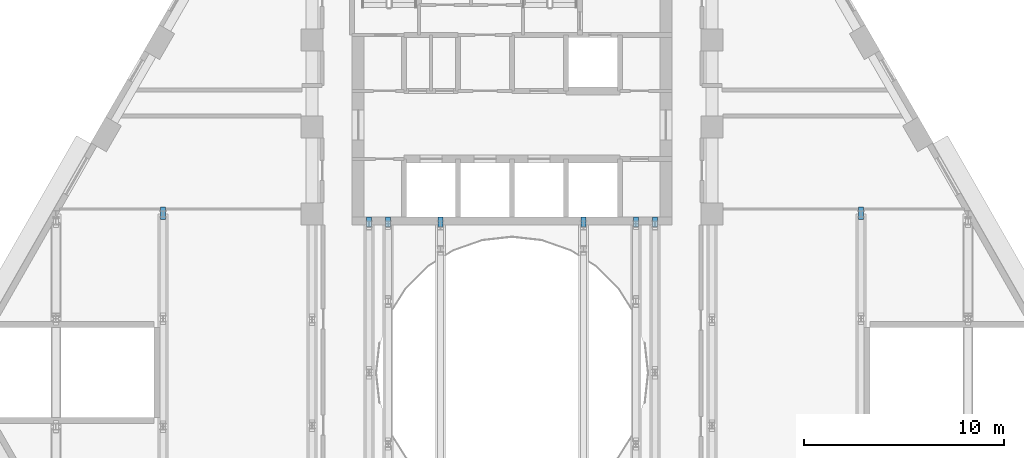
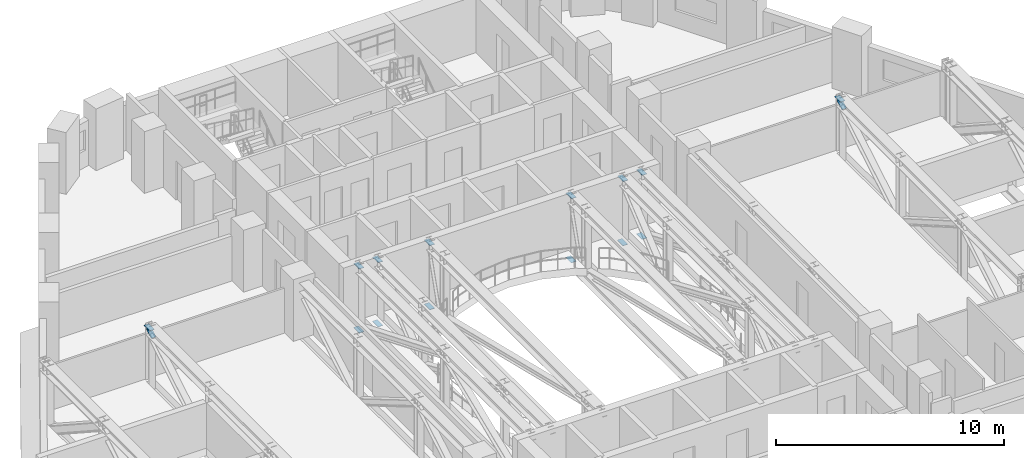
# One storey, part 15 of 18: 16 discrete accessories.
"""IFC4 building model written with IfcOpenShell, lengths in metres."""

from ifc_helpers import new_model, si_unit, direction, frame, origin, origin_2d, place, context, subcontext, project, spatial, rectangle, extrude, material, material_profile, profile_set, type_object, element, save


model = new_model("IFC4")

# Units and contexts
model_context = context("Model", 3, precision=1e-05, world=origin(), true_north=direction((0.0, 1.0)))
body_context = subcontext(model_context, "Body", "Model", "MODEL_VIEW")
ifc_project = project(units=[si_unit("LENGTHUNIT", "METRE"), si_unit("AREAUNIT", "SQUARE_METRE"), si_unit("VOLUMEUNIT", "CUBIC_METRE"), si_unit("PLANEANGLEUNIT", "RADIAN"), si_unit("MASSUNIT", "GRAM", prefix="KILO")], contexts=[model_context])

# Site, building, storey
site_placement = place(None, origin())
site = spatial("IfcSite", under=ifc_project, at=site_placement, CompositionType="ELEMENT")
building_placement = place(site_placement, origin())
building = spatial("IfcBuilding", under=site, at=building_placement, Name="Nakaniwa Court", CompositionType="ELEMENT")
storey_placement = place(building_placement, frame((0.0, 0.0, 38.10009765625)))
storey = spatial("IfcBuildingStorey", under=building, at=storey_placement, Name="L09", CompositionType="ELEMENT", Elevation=38.10009765625)

# Discrete accessories
ifc_material = material(Name="Steel Grade 350", Category="steel")
ifc_material_profile = material_profile(ifc_material, rectangle(XDim=0.25, YDim=0.02001953125, at=origin_2d()), Name="Truss end gusset plate 250x20")
ifc_profile_set = profile_set([ifc_material_profile], Name="Steel Grade 350")
discrete_accessory_type = type_object("IfcDiscreteAccessoryType", Name="Truss end gusset plate 250x20", PredefinedType="BRACKET", material=ifc_profile_set)
for number, where, z_axis, x_axis, name in (
    (1, (62.5419921875, 87.800048828125, 2.77978515625), (0.0, 1.0, 0.0), (-1.0, 0.0, 0.0), "Gusset plate GU-007"),
    (2, (62.5419921875, 87.66064453125, 2.458251953125), (0.0, 0.859083267379, 0.51183585231), (-1.0, 0.0, 0.0), "Gusset plate GU-012"),
    (3, (72.85009765625, 87.300048828125, -0.64501953125), (0.0, 1.0, 0.0), (-1.0, 0.0, 0.0), "Gusset plate GU-020"),
    (4, (72.85009765625, 87.300048828125, 2.77978515625), (0.0, 1.0, 0.0), (-1.0, 0.0, 0.0), "Gusset plate GU-022"),
    (5, (73.807861328125, 87.300048828125, -0.64501953125), (0.0, 1.0, 0.0), (-1.0, 0.0, 0.0), "Gusset plate GU-029"),
    (6, (73.807861328125, 87.300048828125, 2.77978515625), (0.0, 1.0, 0.0), (-1.0, 0.0, 0.0), "Gusset plate GU-031"),
    (7, (76.425048828125, 87.300048828125, -0.64501953125), (0.0, 1.0, 0.0), (-1.0, 0.0, 0.0), "Gusset plate GU-041"),
    (8, (76.425048828125, 87.300048828125, 2.77978515625), (0.0, 1.0, 0.0), (-1.0, 0.0, 0.0), "Gusset plate GU-043"),
    (9, (83.574951171875, 87.300048828125, -0.64501953125), (0.0, 1.0, 0.0), (-1.0, 0.0, 0.0), "Gusset plate GU-049"),
    (10, (83.574951171875, 87.300048828125, 2.77978515625), (0.0, 1.0, 0.0), (-1.0, 0.0, 0.0), "Gusset plate GU-051"),
    (11, (86.192138671875, 87.300048828125, -0.64501953125), (0.0, 1.0, 0.0), (-1.0, 0.0, 0.0), "Gusset plate GU-057"),
    (12, (86.192138671875, 87.300048828125, 2.77978515625), (0.0, 1.0, 0.0), (-1.0, 0.0, 0.0), "Gusset plate GU-059"),
    (13, (87.14990234375, 87.300048828125, -0.64501953125), (0.0, 1.0, 0.0), (-1.0, 0.0, 0.0), "Gusset plate GU-069"),
    (14, (87.14990234375, 87.300048828125, 2.77978515625), (0.0, 1.0, 0.0), (-1.0, 0.0, 0.0), "Gusset plate GU-071"),
    (15, (97.4580078125, 87.800048828125, 2.77978515625), (0.0, 1.0, 0.0), (-1.0, 0.0, 0.0), "Gusset plate GU-083"),
    (16, (97.4580078125, 87.66064453125, 2.458251953125), (0.0, 0.859083267379, 0.51183585231), (-1.0, 0.0, 0.0), "Gusset plate GU-088"),
):
    element("IfcDiscreteAccessory", number, at=place(storey_placement, frame(where, z_axis=z_axis, x_axis=x_axis)), inside=storey, type_object=discrete_accessory_type, Name=name, PredefinedType="BRACKET", context=body_context, shape_type="SweptSolid", body=[
        extrude(rectangle(XDim=0.25, YDim=0.02001953125, at=origin_2d()), origin(), (0.0, 0.0, 1.0), 0.5),
    ])

save(model, "model.ifc")
